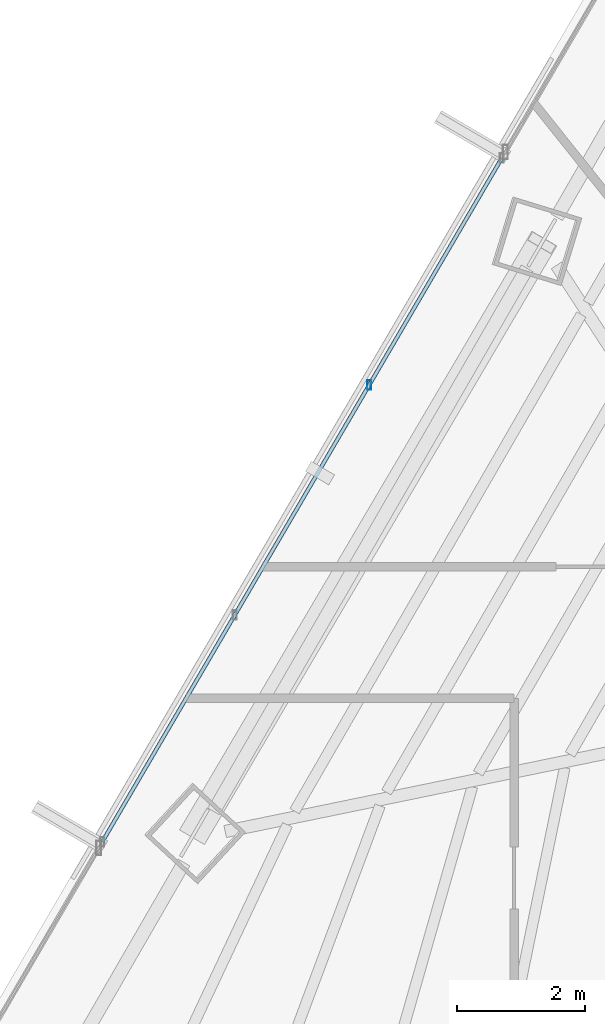
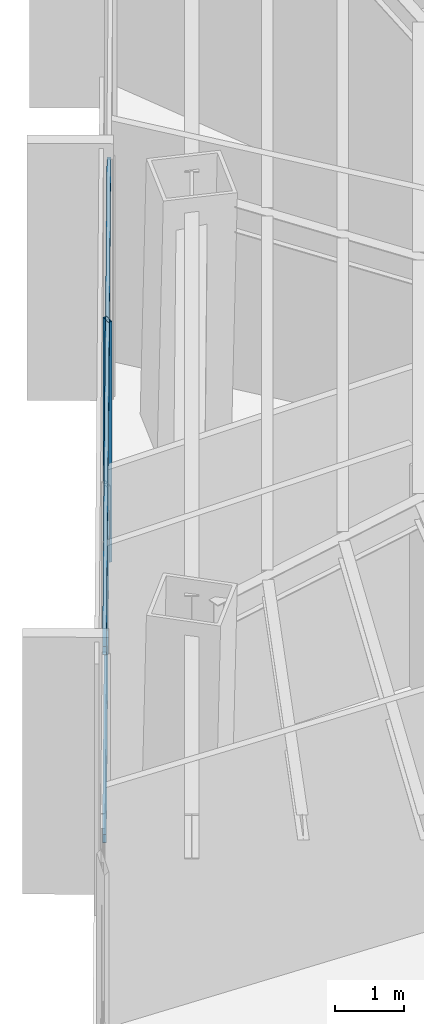
# One storey, part 13 of 37: 3 members, 1 element without a shape of its own.
"""IFC4 building model written with IfcOpenShell, lengths in metres."""

from ifc_helpers import new_model, si_unit, direction, frame, origin, origin_2d, place, context, subcontext, project, spatial, hollow_rectangle, extrude, source, transform, mapped, material, material_profile, profile_set, type_object, type_shapes, element, aggregate, save


model = new_model("IFC4")

# Units and contexts
model_context = context("Model", 3, precision=1e-05, world=origin(), true_north=direction((0.0, 1.0)))
body_context = subcontext(model_context, "Body", "Model", "MODEL_VIEW")
ifc_project = project(units=[si_unit("LENGTHUNIT", "METRE"), si_unit("AREAUNIT", "SQUARE_METRE"), si_unit("VOLUMEUNIT", "CUBIC_METRE"), si_unit("PLANEANGLEUNIT", "RADIAN"), si_unit("MASSUNIT", "GRAM", prefix="KILO")], contexts=[model_context])

# Site, building, storey
site_placement = place(None, origin())
site = spatial("IfcSite", under=ifc_project, at=site_placement, CompositionType="ELEMENT")
building_placement = place(site_placement, origin())
building = spatial("IfcBuilding", under=site, at=building_placement, Name="Caelisora Broadcast Tower", CompositionType="ELEMENT")
storey_placement = place(building_placement, frame((0.0, 0.0, 127.300048828125)))
storey = spatial("IfcBuildingStorey", under=building, at=storey_placement, Name="L33", CompositionType="ELEMENT", Elevation=127.300048828125)

# Curtain wall, members
ifc_material_1 = material(Name="Unitised Aluminium Insulated Shadow-Box Spandrel Curtain Wall", Category="aluminium")
curtain_wall_type = type_object("IfcCurtainWallType", Name="CW-SP2", PredefinedType="NOTDEFINED", material=ifc_material_1)
curtain_wall_placement = place(storey_placement, origin())
curtain_wall = element("IfcCurtainWall", 1, at=curtain_wall_placement, inside=storey, type_object=curtain_wall_type, Name="L33 curtain wall CW-SP2", PredefinedType="NOTDEFINED")
ifc_material_2 = material(Name="Aluminium 6063-T6 Anodised Terracotta Bronze", Category="aluminium")
ifc_material_profile_1 = material_profile(ifc_material_2, hollow_rectangle(XDim=0.06005859375, YDim=0.14990234375, WallThickness=0.00341796875, at=origin_2d()), Name="Aluminium 6063-T6 Anodised Terracotta Bronze")
ifc_profile_set_1 = profile_set([ifc_material_profile_1], Name="Aluminium 6063-T6 Anodised Terracotta Bronze")
member_type_1 = type_object("IfcMemberType", Name="CWM-03", PredefinedType="MULLION", material=ifc_profile_set_1)
shared_shape_1 = source(origin(), body_context, "Body", "SweptSolid", [
    extrude(hollow_rectangle(XDim=0.06005859375, YDim=0.14990234375, WallThickness=0.00341796875, at=origin_2d()), origin(), (0.0, 0.0, 1.0), 4.25),
])
type_shapes(member_type_1, [shared_shape_1])
member_1_placement = place(storey_placement, frame((23.141357421875, 34.9794921875, 0.0), z_axis=(0.0, 0.0, 1.0), x_axis=(1.0, 0.0, 0.0)))
member_1 = element("IfcMember", 2, at=member_1_placement, type_object=member_type_1, Name="L33-CW-B10 mullion #2", PredefinedType="MULLION", context=body_context, shape_type="MappedRepresentation", body=[
    mapped(shared_shape_1, transform((0.0, 0.0, 0.0), scale=1.0)),
])
ifc_material_profile_2 = material_profile(ifc_material_2, hollow_rectangle(XDim=0.06005859375, YDim=0.14990234375, WallThickness=0.00341796875, at=origin_2d()), Name="Aluminium 6063-T6 Anodised Terracotta Bronze")
ifc_profile_set_2 = profile_set([ifc_material_profile_2], Name="Aluminium 6063-T6 Anodised Terracotta Bronze")
member_type_2 = type_object("IfcMemberType", Name="CWT-02", PredefinedType="USERDEFINED", material=ifc_profile_set_2)
shared_shape_2 = source(origin(), body_context, "Body", "SweptSolid", [
    extrude(hollow_rectangle(XDim=0.06005859375, YDim=0.14990234375, WallThickness=0.00341796875, at=origin_2d()), origin(), (0.0, 0.0, 1.0), 12.33984375),
])
type_shapes(member_type_2, [shared_shape_2])
member_2_placement = place(storey_placement, frame((18.982421875, 27.8623046875, 0.849853515625), z_axis=(0.504510559388, 0.863405522027, 0.0), x_axis=(-0.863405522027, 0.504510559388, 0.0)))
member_2 = element("IfcMember", 3, at=member_2_placement, type_object=member_type_2, Name="L33-CW-B10 transom #1", ObjectType="TRANSOM", PredefinedType="USERDEFINED", context=body_context, shape_type="MappedRepresentation", body=[
    mapped(shared_shape_2, transform((0.0, 0.0, 0.0), scale=1.0)),
])
member_3_placement = place(storey_placement, frame((18.982421875, 27.8623046875, 4.169921875), z_axis=(0.504510559388, 0.863405522027, 0.0), x_axis=(-0.863405522027, 0.504510559388, 0.0)))
member_3 = element("IfcMember", 4, at=member_3_placement, type_object=member_type_2, Name="L33-CW-B10 transom #2", ObjectType="TRANSOM", PredefinedType="USERDEFINED", context=body_context, shape_type="MappedRepresentation", body=[
    mapped(shared_shape_2, transform((0.0, 0.0, 0.0), scale=1.0)),
])
aggregate(curtain_wall, [member_1, member_2, member_3])

save(model, "model.ifc")
